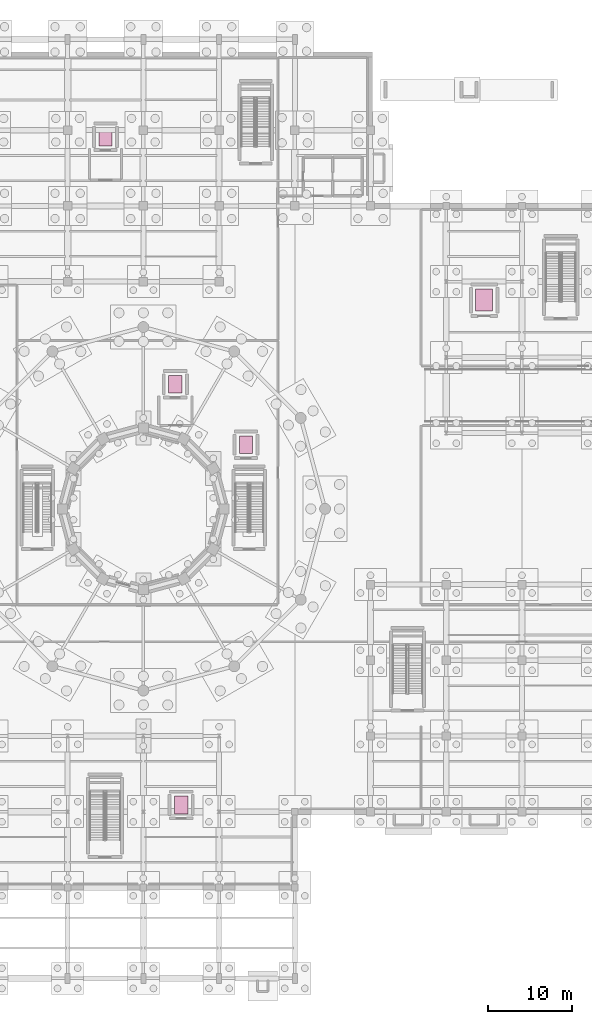
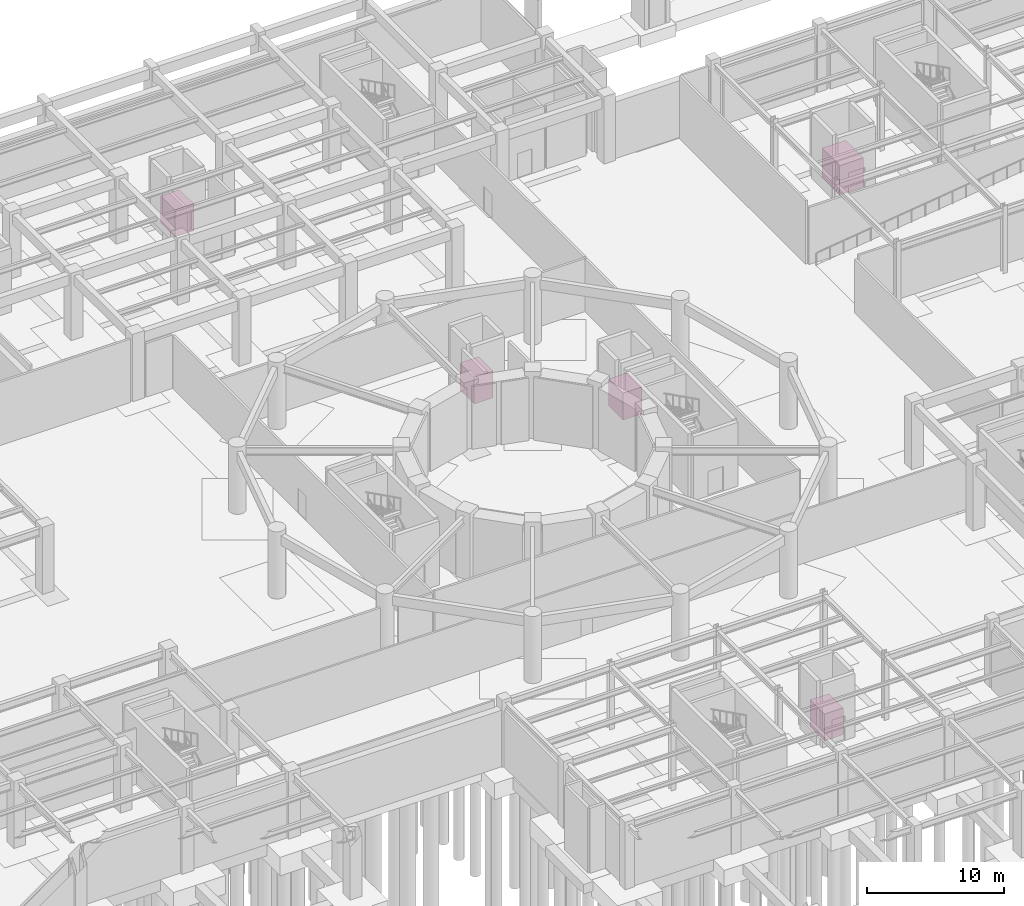
# One storey, part 36 of 36: 5 transport elements.
"""IFC4 building model written with IfcOpenShell, lengths in metres."""

from ifc_helpers import new_model, si_unit, direction, frame, origin, origin_2d, place, context, subcontext, project, spatial, rectangle, extrude, material, type_object, element, save


model = new_model("IFC4")

# Units and contexts
model_context = context("Model", 3, precision=1e-05, world=origin(), true_north=direction((0.0, 1.0)))
body_context = subcontext(model_context, "Body", "Model", "MODEL_VIEW")
ifc_project = project(units=[si_unit("LENGTHUNIT", "METRE"), si_unit("AREAUNIT", "SQUARE_METRE"), si_unit("VOLUMEUNIT", "CUBIC_METRE"), si_unit("PLANEANGLEUNIT", "RADIAN"), si_unit("MASSUNIT", "GRAM", prefix="KILO")], contexts=[model_context])

# Site, building, storey
site_placement = place(None, origin())
site = spatial("IfcSite", under=ifc_project, at=site_placement, CompositionType="ELEMENT")
building_placement = place(site_placement, origin())
building = spatial("IfcBuilding", under=site, at=building_placement, Name="Haizhuo Lancet Aquarium", CompositionType="ELEMENT")
storey_placement = place(building_placement, frame((0.0, 0.0, -6.0)))
storey = spatial("IfcBuildingStorey", under=building, at=storey_placement, Name="B1", CompositionType="ELEMENT", Elevation=-6.0)

# Transport elements
ifc_material_1 = material(Name="Steel S355", Category="steel")
transport_element_type_1 = type_object("IfcTransportElementType", Name="LFT-FIRE-1600x2100", PredefinedType="ELEVATOR", material=ifc_material_1)
transport_element_1_placement = place(storey_placement, frame((3.800048828125, 14.800048828125, 0.0), z_axis=(0.0, 0.0, 1.0), x_axis=(1.0, 0.0, 0.0)))
element("IfcTransportElement", 1, at=transport_element_1_placement, inside=storey, type_object=transport_element_type_1, Name="Elevator car LF-01", PredefinedType="ELEVATOR", context=body_context, shape_type="SweptSolid", body=[
    extrude(rectangle(XDim=1.60009765625, YDim=2.10009765625, at=origin_2d()), origin(), (0.0, 0.0, 1.0), 2.39990234375),
])
transport_element_type_2 = type_object("IfcTransportElementType", Name="LFT-GOODS-2000x2600", PredefinedType="ELEVATOR", material=ifc_material_1)
transport_element_2_placement = place(storey_placement, frame((40.5, 24.800048828125, 0.0), z_axis=(0.0, 0.0, 1.0), x_axis=(1.0, 0.0, 0.0)))
element("IfcTransportElement", 2, at=transport_element_2_placement, inside=storey, type_object=transport_element_type_2, Name="Elevator car LG-01", PredefinedType="ELEVATOR", context=body_context, shape_type="SweptSolid", body=[
    extrude(rectangle(XDim=2.0, YDim=2.60009765625, at=origin_2d()), origin(), (0.0, 0.0, 1.0), 2.60009765625),
])
ifc_material_2 = material(Name="Aluminium 6063-T6", Category="aluminium")
transport_element_type_3 = type_object("IfcTransportElementType", Name="LFT-PASS-1600x2100", PredefinedType="ELEVATOR", material=ifc_material_2)
for number, where, z_axis, x_axis, name in (
    (3, (-4.5, 44.199951171875, 0.0), (0.0, 0.0, 1.0), (1.0, 0.0, 0.0), "Elevator car LF-02"),
    (4, (12.199951171875, 7.60009765625, 0.0), (0.0, 0.0, 1.0), (1.0, 0.0, 0.0), "Elevator car LP-01"),
    (5, (4.5, -35.199951171875, 0.0), (0.0, 0.0, 1.0), (1.0, 0.0, 0.0), "Elevator car LP-03"),
):
    element("IfcTransportElement", number, at=place(storey_placement, frame(where, z_axis=z_axis, x_axis=x_axis)), inside=storey, type_object=transport_element_type_3, Name=name, PredefinedType="ELEVATOR", context=body_context, shape_type="SweptSolid", body=[
        extrude(rectangle(XDim=1.60009765625, YDim=2.10009765625, at=origin_2d()), origin(), (0.0, 0.0, 1.0), 2.39990234375),
    ])

save(model, "model.ifc")
